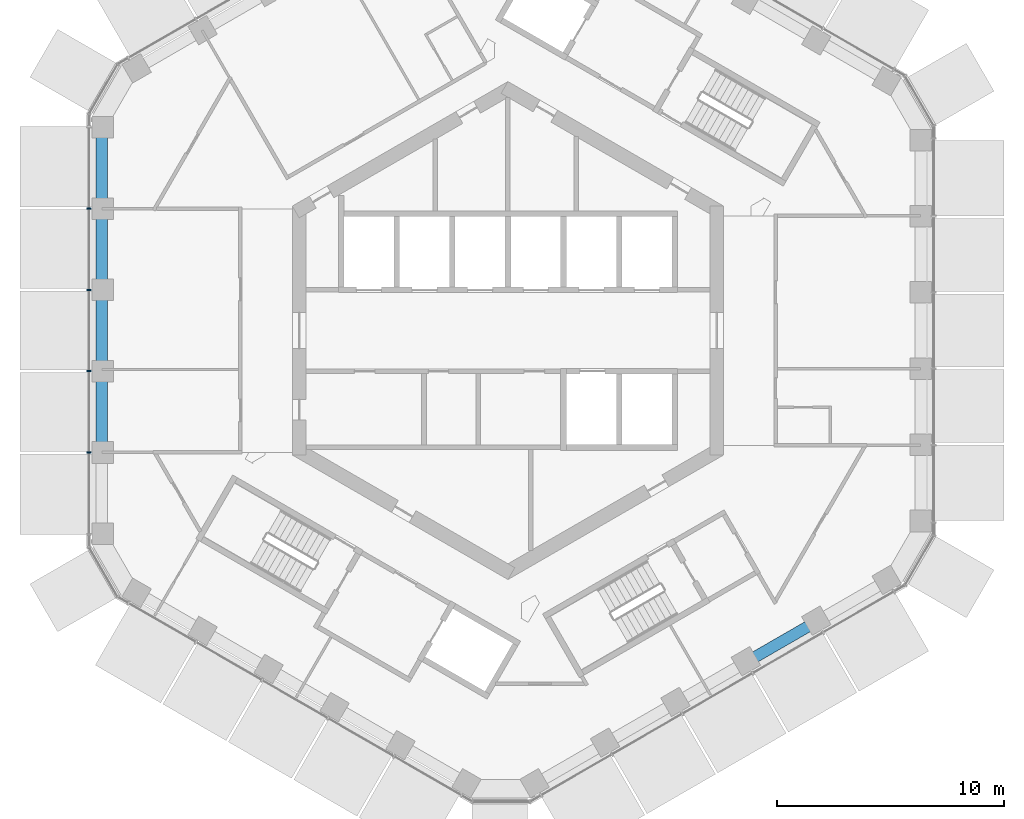
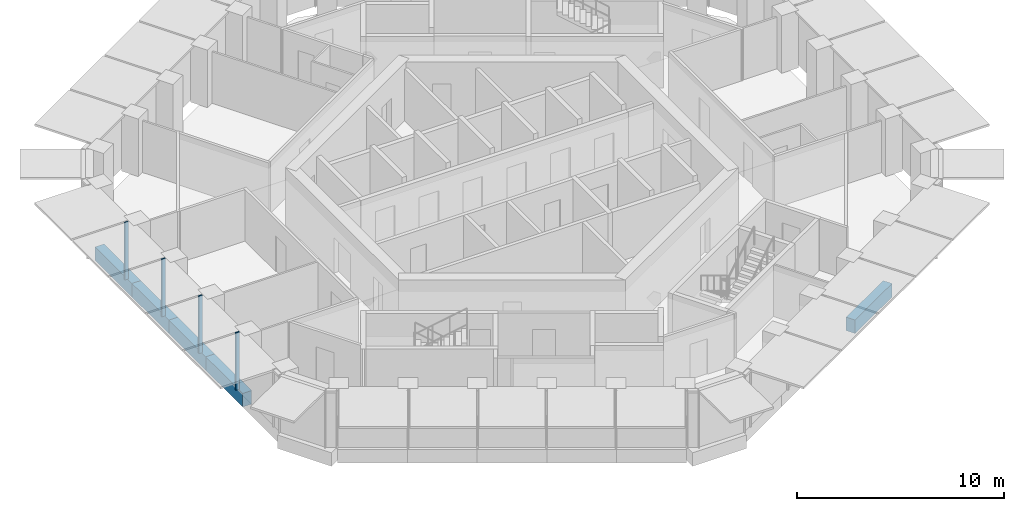
# One storey, part 3 of 18: 5 beams, 4 members, 1 element without a shape of its own.
"""IFC4 building model written with IfcOpenShell, lengths in metres."""

from ifc_helpers import new_model, si_unit, direction, frame, origin, origin_2d, place, context, subcontext, project, spatial, rectangle, extrude, material, layer, layer_set, material_profile, profile_set, type_object, element, aggregate, save


model = new_model("IFC4")

# Units and contexts
model_context = context("Model", 3, precision=1e-05, world=origin(), true_north=direction((0.0, 1.0)))
body_context = subcontext(model_context, "Body", "Model", "MODEL_VIEW")
ifc_project = project(units=[si_unit("LENGTHUNIT", "METRE"), si_unit("AREAUNIT", "SQUARE_METRE"), si_unit("VOLUMEUNIT", "CUBIC_METRE"), si_unit("PLANEANGLEUNIT", "RADIAN"), si_unit("MASSUNIT", "GRAM", prefix="KILO")], contexts=[model_context])

# Site, building, storey
site_placement = place(None, origin())
site = spatial("IfcSite", under=ifc_project, at=site_placement, CompositionType="ELEMENT")
building_placement = place(site_placement, origin())
building = spatial("IfcBuilding", under=site, at=building_placement, Name="Ayvan Gate Tower", CompositionType="ELEMENT")
storey_placement = place(building_placement, frame((0.0, 0.0, 169.699951171875)))
storey = spatial("IfcBuildingStorey", under=building, at=storey_placement, Name="L45", CompositionType="ELEMENT", Elevation=169.699951171875)

# Beams
ifc_material_1 = material(Name="Concrete C40/50", Category="concrete")
ifc_material_profile_1 = material_profile(ifc_material_1, rectangle(XDim=0.5, YDim=0.800048828125, at=origin_2d()), Name="RC 500x800")
ifc_profile_set_1 = profile_set([ifc_material_profile_1], Name="Concrete C40/50")
beam_type = type_object("IfcBeamType", Name="Spandrel beam RC 500x800 C40/50", PredefinedType="BEAM", material=ifc_profile_set_1)
beam_1_placement = place(storey_placement, frame((-17.90283203125, 8.931640625, -0.75), z_axis=(0.0, -1.0, 0.0), x_axis=(1.0, 0.0, 0.0)))
element("IfcBeam", 1, at=beam_1_placement, inside=storey, type_object=beam_type, Name="SB-L45-19", PredefinedType="BEAM", context=body_context, shape_type="SweptSolid", body=[
    extrude(rectangle(XDim=0.5, YDim=0.800048828125, at=origin_2d()), origin(), (0.0, 0.0, 1.0), 3.572509765625),
])
for number, where, z_axis, x_axis, name in (
    (2, (-17.90283203125, 5.359130859375, -0.75), (0.0, -1.0, 0.0), (1.0, 0.0, 0.0), "SB-L45-20"),
    (3, (-17.90283203125, 1.786376953125, -0.75), (0.0, -1.0, 0.0), (1.0, 0.0, 0.0), "SB-L45-21"),
    (4, (-17.90283203125, -1.786376953125, -0.75), (0.0, -1.0, 0.0), (1.0, 0.0, 0.0), "SB-L45-22"),
):
    element("IfcBeam", number, at=place(storey_placement, frame(where, z_axis=z_axis, x_axis=x_axis)), inside=storey, type_object=beam_type, Name=name, PredefinedType="BEAM", context=body_context, shape_type="SweptSolid", body=[
        extrude(rectangle(XDim=0.5, YDim=0.800048828125, at=origin_2d()), origin(), (0.0, 0.0, 1.0), 3.57275390625),
    ])
beam_2_placement = place(storey_placement, frame((10.49853515625, -14.611083984375, -0.75), z_axis=(0.866047891107, 0.499961048792, 0.0), x_axis=(-0.499961048792, 0.866047891107, 0.0)))
element("IfcBeam", 5, at=beam_2_placement, inside=storey, type_object=beam_type, Name="SB-L45-34", PredefinedType="BEAM", context=body_context, shape_type="SweptSolid", body=[
    extrude(rectangle(XDim=0.5, YDim=0.800048828125, at=origin_2d()), origin(), (0.0, 0.0, 1.0), 3.572509765625),
])

# Curtain wall, members
ifc_material_2 = material(Name="Bronze anodised aluminium", Category="aluminium")
ifc_layer = layer(ifc_material_2, 0.199951171875)
ifc_layer_set = layer_set([ifc_layer], Name="Bronze anodised aluminium")
curtain_wall_type = type_object("IfcCurtainWallType", Name="Stick curtain wall CW-2", PredefinedType="NOTDEFINED", material=ifc_layer_set)
curtain_wall_placement = place(storey_placement, origin())
curtain_wall = element("IfcCurtainWall", 6, at=curtain_wall_placement, inside=storey, type_object=curtain_wall_type, Name="Stick curtain wall CW-2 L45", PredefinedType="NOTDEFINED")
ifc_material_profile_2 = material_profile(ifc_material_2, rectangle(XDim=0.199951171875, YDim=0.070068359375, at=origin_2d()), Name="Stick curtain wall CW-2 mullion 200 x 70")
ifc_profile_set_2 = profile_set([ifc_material_profile_2], Name="Bronze anodised aluminium")
member_type = type_object("IfcMemberType", Name="Stick curtain wall CW-2 mullion 200 x 70", PredefinedType="MULLION", material=ifc_profile_set_2)
member_1_placement = place(storey_placement, frame((-18.46484375, 5.3740234375, 0.0), z_axis=(0.0, 0.0, 1.0), x_axis=(-1.0, 0.0, 0.0)))
member_1 = element("IfcMember", 7, at=member_1_placement, type_object=member_type, Name="CW-2 mullion 2", PredefinedType="MULLION", context=body_context, shape_type="SweptSolid", body=[
    extrude(rectangle(XDim=0.199951171875, YDim=0.070068359375, at=origin_2d()), origin(), (0.0, 0.0, 1.0), 3.400146484375),
])
member_2_placement = place(storey_placement, frame((-18.46484375, 1.791015625, 0.0), z_axis=(0.0, 0.0, 1.0), x_axis=(-1.0, 0.0, 0.0)))
member_2 = element("IfcMember", 8, at=member_2_placement, type_object=member_type, Name="CW-2 mullion 3", PredefinedType="MULLION", context=body_context, shape_type="SweptSolid", body=[
    extrude(rectangle(XDim=0.199951171875, YDim=0.070068359375, at=origin_2d()), origin(), (0.0, 0.0, 1.0), 3.400146484375),
])
member_3_placement = place(storey_placement, frame((-18.46484375, -1.791015625, 0.0), z_axis=(0.0, 0.0, 1.0), x_axis=(-1.0, 0.0, 0.0)))
member_3 = element("IfcMember", 9, at=member_3_placement, type_object=member_type, Name="CW-2 mullion 4", PredefinedType="MULLION", context=body_context, shape_type="SweptSolid", body=[
    extrude(rectangle(XDim=0.199951171875, YDim=0.070068359375, at=origin_2d()), origin(), (0.0, 0.0, 1.0), 3.400146484375),
])
member_4_placement = place(storey_placement, frame((-18.46484375, -5.3740234375, 0.0), z_axis=(0.0, 0.0, 1.0), x_axis=(-1.0, 0.0, 0.0)))
member_4 = element("IfcMember", 10, at=member_4_placement, type_object=member_type, Name="CW-2 mullion 5", PredefinedType="MULLION", context=body_context, shape_type="SweptSolid", body=[
    extrude(rectangle(XDim=0.199951171875, YDim=0.070068359375, at=origin_2d()), origin(), (0.0, 0.0, 1.0), 3.400146484375),
])
aggregate(curtain_wall, [member_1, member_2, member_3, member_4])

save(model, "model.ifc")
